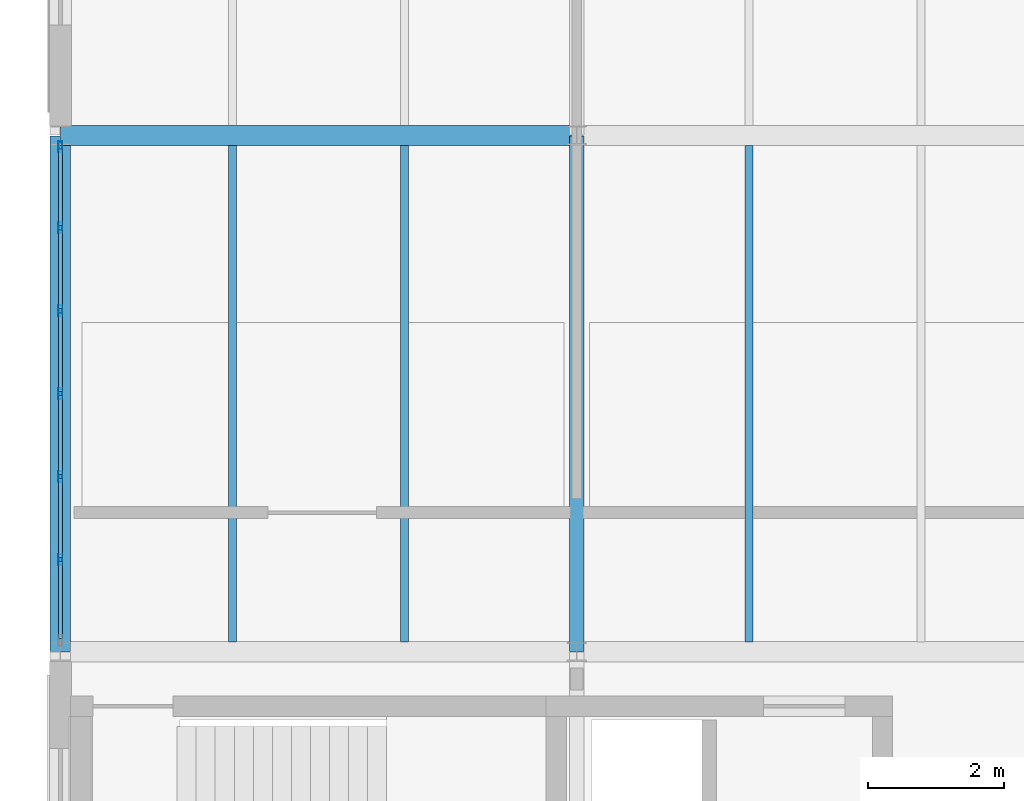
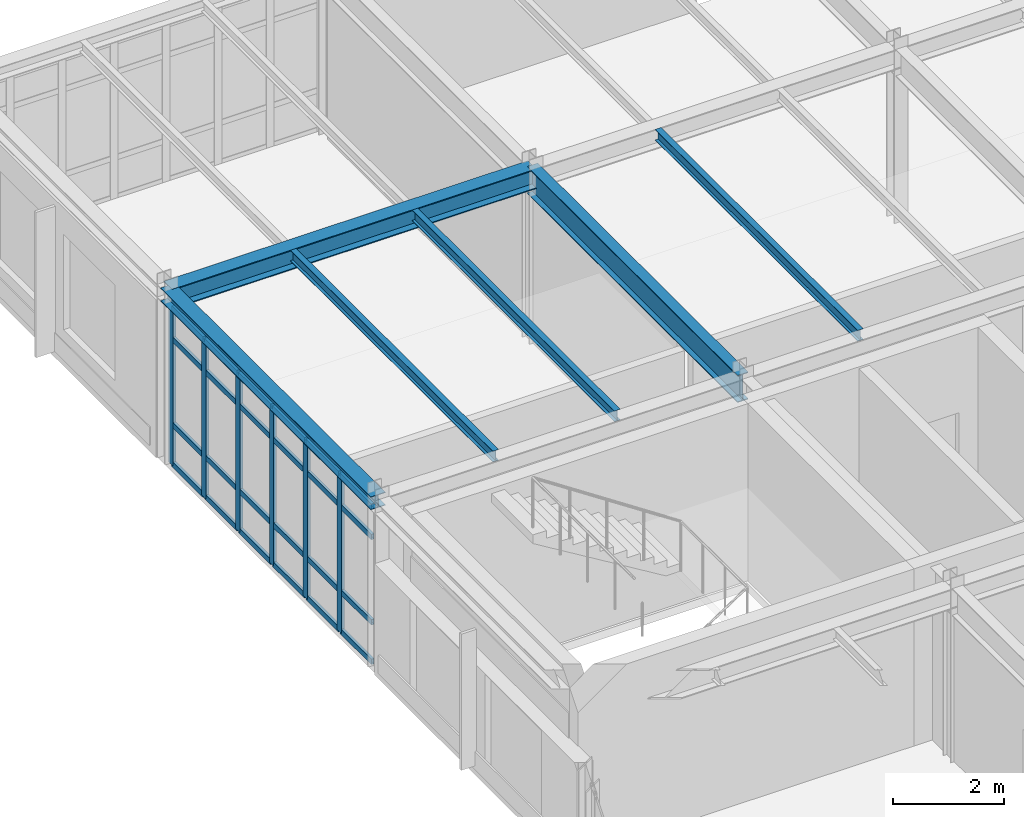
# One storey, part 31 of 165: 30 members, 6 beams, 1 element without a shape of its own.
"""IFC4 building model written with IfcOpenShell, lengths in metres."""

from ifc_helpers import new_model, si_unit, direction, frame, origin, origin_2d, place, context, subcontext, project, spatial, hollow_rectangle, i_section, extrude, material, layer, layer_set, material_profile, profile_set, type_object, element, aggregate, save


model = new_model("IFC4")

# Units and contexts
model_context = context("Model", 3, precision=1e-05, world=origin(), true_north=direction((0.0, 1.0)))
body_context = subcontext(model_context, "Body", "Model", "MODEL_VIEW")
ifc_project = project(units=[si_unit("LENGTHUNIT", "METRE"), si_unit("AREAUNIT", "SQUARE_METRE"), si_unit("VOLUMEUNIT", "CUBIC_METRE"), si_unit("PLANEANGLEUNIT", "RADIAN"), si_unit("MASSUNIT", "GRAM", prefix="KILO")], contexts=[model_context])

# Site, building, storey
site_placement = place(None, origin())
site = spatial("IfcSite", under=ifc_project, at=site_placement, CompositionType="ELEMENT")
building_placement = place(site_placement, origin())
building = spatial("IfcBuilding", under=site, at=building_placement, Name="Montecoro Central Library", CompositionType="ELEMENT")
storey_placement = place(building_placement, frame((0.0, 0.0, 5.10009765625)))
storey = spatial("IfcBuildingStorey", under=building, at=storey_placement, Name="L01", CompositionType="ELEMENT", Elevation=5.10009765625)

# Beams
ifc_material_1 = material(Name="Steel S355J2", Category="steel")
ifc_material_profile_1 = material_profile(ifc_material_1, i_section(OverallWidth=0.300048828125, OverallDepth=0.43994140625, WebThickness=0.011474609375, FlangeThickness=0.02099609375, at=origin_2d()), Name="HEA 450")
ifc_profile_set_1 = profile_set([ifc_material_profile_1], Name="Steel S355J2")
beam_type_1 = type_object("IfcBeamType", Name="BM-G-HEA450", PredefinedType="USERDEFINED", material=ifc_profile_set_1)
beam_1_placement = place(storey_placement, frame((5.0048828125, 27.800048828125, 3.60498046875), z_axis=(1.0, 0.0, 0.0), x_axis=(0.0, 1.0, 0.0)))
element("IfcBeam", 1, at=beam_1_placement, inside=storey, type_object=beam_type_1, Name="V3-L01-BX-12-D", ObjectType="GIRDER", PredefinedType="USERDEFINED", context=body_context, shape_type="SweptSolid", body=[
    extrude(i_section(OverallWidth=0.300048828125, OverallDepth=0.43994140625, WebThickness=0.011474609375, FlangeThickness=0.02099609375, at=origin_2d()), origin(), (0.0, 0.0, 1.0), 7.590087890625),
])
ifc_material_profile_2 = material_profile(ifc_material_1, i_section(OverallWidth=0.219970703125, OverallDepth=0.60009765625, WebThickness=0.011962890625, FlangeThickness=0.01904296875, at=origin_2d()), Name="IPE 600")
ifc_profile_set_2 = profile_set([ifc_material_profile_2], Name="Steel S355J2")
beam_type_2 = type_object("IfcBeamType", Name="BM-G-IPE600", PredefinedType="USERDEFINED", material=ifc_profile_set_2)
beam_2_placement = place(storey_placement, frame((12.60009765625, 20.205078125, 3.52490234375), z_axis=(0.0, 1.0, 0.0), x_axis=(-1.0, 0.0, 0.0)))
element("IfcBeam", 2, at=beam_2_placement, inside=storey, type_object=beam_type_2, Name="V3-L01-BY-2-CD", ObjectType="GIRDER", PredefinedType="USERDEFINED", context=body_context, shape_type="SweptSolid", body=[
    extrude(i_section(OverallWidth=0.219970703125, OverallDepth=0.60009765625, WebThickness=0.011962890625, FlangeThickness=0.01904296875, at=origin_2d()), origin(), (0.0, 0.0, 1.0), 7.58984375),
])
ifc_material_2 = material(Name="Steel S355", Category="steel")
ifc_material_profile_3 = material_profile(ifc_material_2, i_section(OverallWidth=0.1201171875, OverallDepth=0.239990234375, WebThickness=0.006103515625, FlangeThickness=0.009765625, at=origin_2d()), Name="IPE 240")
ifc_profile_set_3 = profile_set([ifc_material_profile_3], Name="Steel S355")
beam_type_3 = type_object("IfcBeamType", Name="BM-J-IPE240", PredefinedType="JOIST", material=ifc_profile_set_3)
for number, where, z_axis, x_axis, name in (
    (3, (7.532958984375, 20.346923828125, 3.704833984375), (0.0, 1.0, 0.0), (-1.0, 0.0, 0.0), "V3-L01-JS-12-CD-1"),
    (4, (10.06689453125, 20.346923828125, 3.704833984375), (0.0, 1.0, 0.0), (-1.0, 0.0, 0.0), "V3-L01-JS-12-CD-2"),
    (5, (15.133056640625, 20.346923828125, 3.704833984375), (0.0, 1.0, 0.0), (-1.0, 0.0, 0.0), "V3-L01-JS-23-CD-1"),
):
    element("IfcBeam", number, at=place(storey_placement, frame(where, z_axis=z_axis, x_axis=x_axis)), inside=storey, type_object=beam_type_3, Name=name, PredefinedType="JOIST", context=body_context, shape_type="SweptSolid", body=[
        extrude(i_section(OverallWidth=0.1201171875, OverallDepth=0.239990234375, WebThickness=0.006103515625, FlangeThickness=0.009765625, at=origin_2d()), origin(), (0.0, 0.0, 1.0), 7.30615234375),
    ])
ifc_material_profile_4 = material_profile(ifc_material_2, i_section(OverallWidth=0.300048828125, OverallDepth=0.2900390625, WebThickness=0.008544921875, FlangeThickness=0.013916015625, at=origin_2d()), Name="HEA 300")
ifc_profile_set_4 = profile_set([ifc_material_profile_4], Name="Steel S355")
beam_type_4 = type_object("IfcBeamType", Name="BM-SP-HEA300", PredefinedType="SPANDREL", material=ifc_profile_set_4)
beam_3_placement = place(storey_placement, frame((5.0, 20.205078125, 3.679931640625), z_axis=(0.0, 1.0, 0.0), x_axis=(-1.0, 0.0, 0.0)))
element("IfcBeam", 6, at=beam_3_placement, inside=storey, type_object=beam_type_4, Name="V3-L01-BY-1-CD", PredefinedType="SPANDREL", context=body_context, shape_type="SweptSolid", body=[
    extrude(i_section(OverallWidth=0.300048828125, OverallDepth=0.2900390625, WebThickness=0.008544921875, FlangeThickness=0.013916015625, at=origin_2d()), origin(), (0.0, 0.0, 1.0), 7.58984375),
])

# Curtain wall, members
ifc_material_3 = material(Name="Bronze-anodised aluminium and low-E glazing", Category="aluminium")
ifc_layer = layer(ifc_material_3, 0.159912109375)
ifc_layer_set = layer_set([ifc_layer], Name="Bronze-anodised aluminium and low-E glazing")
curtain_wall_type = type_object("IfcCurtainWallType", Name="CWT-032", PredefinedType="NOTDEFINED", material=ifc_layer_set)
curtain_wall_placement = place(storey_placement, origin())
curtain_wall = element("IfcCurtainWall", 7, at=curtain_wall_placement, inside=storey, type_object=curtain_wall_type, Name="V3-L01-CW-W2", PredefinedType="NOTDEFINED")
ifc_material_4 = material(Name="Bronze-anodised aluminium", Category="aluminium")
ifc_material_profile_5 = material_profile(ifc_material_4, hollow_rectangle(XDim=0.06005859375, YDim=0.159912109375, WallThickness=0.00390625, at=origin_2d()), Name="CWM 160x60x4.0")
ifc_profile_set_5 = profile_set([ifc_material_profile_5], Name="Bronze-anodised aluminium")
member_type_1 = type_object("IfcMemberType", Name="CWM-BRZ-60", PredefinedType="MULLION", material=ifc_profile_set_5)
member_1_placement = place(storey_placement, frame((5.0, 27.632080078125, 0.0), z_axis=(0.0, 0.0, 1.0), x_axis=(1.0, 0.0, 0.0)))
member_1 = element("IfcMember", 8, at=member_1_placement, type_object=member_type_1, Name="CW-032 mullion 1", PredefinedType="MULLION", context=body_context, shape_type="SweptSolid", body=[
    extrude(hollow_rectangle(XDim=0.06005859375, YDim=0.159912109375, WallThickness=0.00390625, at=origin_2d()), origin(), (0.0, 0.0, 1.0), 3.47998046875),
])
member_2_placement = place(storey_placement, frame((5.0, 26.44140625, 0.0), z_axis=(0.0, 0.0, 1.0), x_axis=(1.0, 0.0, 0.0)))
member_2 = element("IfcMember", 9, at=member_2_placement, type_object=member_type_1, Name="CW-032 mullion 2", PredefinedType="MULLION", context=body_context, shape_type="SweptSolid", body=[
    extrude(hollow_rectangle(XDim=0.06005859375, YDim=0.159912109375, WallThickness=0.00390625, at=origin_2d()), origin(), (0.0, 0.0, 1.0), 3.47998046875),
])
member_3_placement = place(storey_placement, frame((5.0, 25.220703125, 0.0), z_axis=(0.0, 0.0, 1.0), x_axis=(1.0, 0.0, 0.0)))
member_3 = element("IfcMember", 10, at=member_3_placement, type_object=member_type_1, Name="CW-032 mullion 3", PredefinedType="MULLION", context=body_context, shape_type="SweptSolid", body=[
    extrude(hollow_rectangle(XDim=0.06005859375, YDim=0.159912109375, WallThickness=0.00390625, at=origin_2d()), origin(), (0.0, 0.0, 1.0), 3.47998046875),
])
member_4_placement = place(storey_placement, frame((5.0, 24.0, 0.0), z_axis=(0.0, 0.0, 1.0), x_axis=(1.0, 0.0, 0.0)))
member_4 = element("IfcMember", 11, at=member_4_placement, type_object=member_type_1, Name="CW-032 mullion 4", PredefinedType="MULLION", context=body_context, shape_type="SweptSolid", body=[
    extrude(hollow_rectangle(XDim=0.06005859375, YDim=0.159912109375, WallThickness=0.00390625, at=origin_2d()), origin(), (0.0, 0.0, 1.0), 3.47998046875),
])
member_5_placement = place(storey_placement, frame((5.0, 22.779296875, 0.0), z_axis=(0.0, 0.0, 1.0), x_axis=(1.0, 0.0, 0.0)))
member_5 = element("IfcMember", 12, at=member_5_placement, type_object=member_type_1, Name="CW-032 mullion 5", PredefinedType="MULLION", context=body_context, shape_type="SweptSolid", body=[
    extrude(hollow_rectangle(XDim=0.06005859375, YDim=0.159912109375, WallThickness=0.00390625, at=origin_2d()), origin(), (0.0, 0.0, 1.0), 3.47998046875),
])
member_6_placement = place(storey_placement, frame((5.0, 21.55859375, 0.0), z_axis=(0.0, 0.0, 1.0), x_axis=(1.0, 0.0, 0.0)))
member_6 = element("IfcMember", 13, at=member_6_placement, type_object=member_type_1, Name="CW-032 mullion 6", PredefinedType="MULLION", context=body_context, shape_type="SweptSolid", body=[
    extrude(hollow_rectangle(XDim=0.06005859375, YDim=0.159912109375, WallThickness=0.00390625, at=origin_2d()), origin(), (0.0, 0.0, 1.0), 3.47998046875),
])
ifc_material_profile_6 = material_profile(ifc_material_4, hollow_rectangle(XDim=0.06005859375, YDim=0.1201171875, WallThickness=0.00390625, at=origin_2d()), Name="CWT 120x60x4.0")
ifc_profile_set_6 = profile_set([ifc_material_profile_6], Name="Bronze-anodised aluminium")
member_type_2 = type_object("IfcMemberType", Name="CWT-BRZ-60", PredefinedType="USERDEFINED", material=ifc_profile_set_6)
member_7_placement = place(storey_placement, frame((5.0, 27.60205078125, 0.02978515625), z_axis=(0.0, -1.0, 0.0), x_axis=(1.0, 0.0, 0.0)))
member_7 = element("IfcMember", 14, at=member_7_placement, type_object=member_type_2, Name="CW-032 transom 1.1", ObjectType="TRANSOM", PredefinedType="USERDEFINED", context=body_context, shape_type="SweptSolid", body=[
    extrude(hollow_rectangle(XDim=0.06005859375, YDim=0.1201171875, WallThickness=0.00390625, at=origin_2d()), origin(), (0.0, 0.0, 1.0), 1.130615234375),
])
member_8_placement = place(storey_placement, frame((5.0, 27.60205078125, 0.89990234375), z_axis=(0.0, -1.0, 0.0), x_axis=(1.0, 0.0, 0.0)))
member_8 = element("IfcMember", 15, at=member_8_placement, type_object=member_type_2, Name="CW-032 transom 1.2", ObjectType="TRANSOM", PredefinedType="USERDEFINED", context=body_context, shape_type="SweptSolid", body=[
    extrude(hollow_rectangle(XDim=0.06005859375, YDim=0.1201171875, WallThickness=0.00390625, at=origin_2d()), origin(), (0.0, 0.0, 1.0), 1.130615234375),
])
member_9_placement = place(storey_placement, frame((5.0, 27.60205078125, 2.77978515625), z_axis=(0.0, -1.0, 0.0), x_axis=(1.0, 0.0, 0.0)))
member_9 = element("IfcMember", 16, at=member_9_placement, type_object=member_type_2, Name="CW-032 transom 1.3", ObjectType="TRANSOM", PredefinedType="USERDEFINED", context=body_context, shape_type="SweptSolid", body=[
    extrude(hollow_rectangle(XDim=0.06005859375, YDim=0.1201171875, WallThickness=0.00390625, at=origin_2d()), origin(), (0.0, 0.0, 1.0), 1.130615234375),
])
member_10_placement = place(storey_placement, frame((5.0, 27.60205078125, 3.449951171875), z_axis=(0.0, -1.0, 0.0), x_axis=(1.0, 0.0, 0.0)))
member_10 = element("IfcMember", 17, at=member_10_placement, type_object=member_type_2, Name="CW-032 transom 1.4", ObjectType="TRANSOM", PredefinedType="USERDEFINED", context=body_context, shape_type="SweptSolid", body=[
    extrude(hollow_rectangle(XDim=0.06005859375, YDim=0.1201171875, WallThickness=0.00390625, at=origin_2d()), origin(), (0.0, 0.0, 1.0), 1.130615234375),
])
member_11_placement = place(storey_placement, frame((5.0, 26.411376953125, 0.02978515625), z_axis=(0.0, -1.0, 0.0), x_axis=(1.0, 0.0, 0.0)))
member_11 = element("IfcMember", 18, at=member_11_placement, type_object=member_type_2, Name="CW-032 transom 2.1", ObjectType="TRANSOM", PredefinedType="USERDEFINED", context=body_context, shape_type="SweptSolid", body=[
    extrude(hollow_rectangle(XDim=0.06005859375, YDim=0.1201171875, WallThickness=0.00390625, at=origin_2d()), origin(), (0.0, 0.0, 1.0), 1.16064453125),
])
member_12_placement = place(storey_placement, frame((5.0, 26.411376953125, 0.89990234375), z_axis=(0.0, -1.0, 0.0), x_axis=(1.0, 0.0, 0.0)))
member_12 = element("IfcMember", 19, at=member_12_placement, type_object=member_type_2, Name="CW-032 transom 2.2", ObjectType="TRANSOM", PredefinedType="USERDEFINED", context=body_context, shape_type="SweptSolid", body=[
    extrude(hollow_rectangle(XDim=0.06005859375, YDim=0.1201171875, WallThickness=0.00390625, at=origin_2d()), origin(), (0.0, 0.0, 1.0), 1.16064453125),
])
member_13_placement = place(storey_placement, frame((5.0, 26.411376953125, 2.77978515625), z_axis=(0.0, -1.0, 0.0), x_axis=(1.0, 0.0, 0.0)))
member_13 = element("IfcMember", 20, at=member_13_placement, type_object=member_type_2, Name="CW-032 transom 2.3", ObjectType="TRANSOM", PredefinedType="USERDEFINED", context=body_context, shape_type="SweptSolid", body=[
    extrude(hollow_rectangle(XDim=0.06005859375, YDim=0.1201171875, WallThickness=0.00390625, at=origin_2d()), origin(), (0.0, 0.0, 1.0), 1.16064453125),
])
member_14_placement = place(storey_placement, frame((5.0, 26.411376953125, 3.449951171875), z_axis=(0.0, -1.0, 0.0), x_axis=(1.0, 0.0, 0.0)))
member_14 = element("IfcMember", 21, at=member_14_placement, type_object=member_type_2, Name="CW-032 transom 2.4", ObjectType="TRANSOM", PredefinedType="USERDEFINED", context=body_context, shape_type="SweptSolid", body=[
    extrude(hollow_rectangle(XDim=0.06005859375, YDim=0.1201171875, WallThickness=0.00390625, at=origin_2d()), origin(), (0.0, 0.0, 1.0), 1.16064453125),
])
member_15_placement = place(storey_placement, frame((5.0, 25.190673828125, 0.02978515625), z_axis=(0.0, -1.0, 0.0), x_axis=(1.0, 0.0, 0.0)))
member_15 = element("IfcMember", 22, at=member_15_placement, type_object=member_type_2, Name="CW-032 transom 3.1", ObjectType="TRANSOM", PredefinedType="USERDEFINED", context=body_context, shape_type="SweptSolid", body=[
    extrude(hollow_rectangle(XDim=0.06005859375, YDim=0.1201171875, WallThickness=0.00390625, at=origin_2d()), origin(), (0.0, 0.0, 1.0), 1.16064453125),
])
member_16_placement = place(storey_placement, frame((5.0, 25.190673828125, 0.89990234375), z_axis=(0.0, -1.0, 0.0), x_axis=(1.0, 0.0, 0.0)))
member_16 = element("IfcMember", 23, at=member_16_placement, type_object=member_type_2, Name="CW-032 transom 3.2", ObjectType="TRANSOM", PredefinedType="USERDEFINED", context=body_context, shape_type="SweptSolid", body=[
    extrude(hollow_rectangle(XDim=0.06005859375, YDim=0.1201171875, WallThickness=0.00390625, at=origin_2d()), origin(), (0.0, 0.0, 1.0), 1.16064453125),
])
member_17_placement = place(storey_placement, frame((5.0, 25.190673828125, 2.77978515625), z_axis=(0.0, -1.0, 0.0), x_axis=(1.0, 0.0, 0.0)))
member_17 = element("IfcMember", 24, at=member_17_placement, type_object=member_type_2, Name="CW-032 transom 3.3", ObjectType="TRANSOM", PredefinedType="USERDEFINED", context=body_context, shape_type="SweptSolid", body=[
    extrude(hollow_rectangle(XDim=0.06005859375, YDim=0.1201171875, WallThickness=0.00390625, at=origin_2d()), origin(), (0.0, 0.0, 1.0), 1.16064453125),
])
member_18_placement = place(storey_placement, frame((5.0, 25.190673828125, 3.449951171875), z_axis=(0.0, -1.0, 0.0), x_axis=(1.0, 0.0, 0.0)))
member_18 = element("IfcMember", 25, at=member_18_placement, type_object=member_type_2, Name="CW-032 transom 3.4", ObjectType="TRANSOM", PredefinedType="USERDEFINED", context=body_context, shape_type="SweptSolid", body=[
    extrude(hollow_rectangle(XDim=0.06005859375, YDim=0.1201171875, WallThickness=0.00390625, at=origin_2d()), origin(), (0.0, 0.0, 1.0), 1.16064453125),
])
member_19_placement = place(storey_placement, frame((5.0, 23.969970703125, 0.02978515625), z_axis=(0.0, -1.0, 0.0), x_axis=(1.0, 0.0, 0.0)))
member_19 = element("IfcMember", 26, at=member_19_placement, type_object=member_type_2, Name="CW-032 transom 4.1", ObjectType="TRANSOM", PredefinedType="USERDEFINED", context=body_context, shape_type="SweptSolid", body=[
    extrude(hollow_rectangle(XDim=0.06005859375, YDim=0.1201171875, WallThickness=0.00390625, at=origin_2d()), origin(), (0.0, 0.0, 1.0), 1.16064453125),
])
member_20_placement = place(storey_placement, frame((5.0, 23.969970703125, 0.89990234375), z_axis=(0.0, -1.0, 0.0), x_axis=(1.0, 0.0, 0.0)))
member_20 = element("IfcMember", 27, at=member_20_placement, type_object=member_type_2, Name="CW-032 transom 4.2", ObjectType="TRANSOM", PredefinedType="USERDEFINED", context=body_context, shape_type="SweptSolid", body=[
    extrude(hollow_rectangle(XDim=0.06005859375, YDim=0.1201171875, WallThickness=0.00390625, at=origin_2d()), origin(), (0.0, 0.0, 1.0), 1.16064453125),
])
member_21_placement = place(storey_placement, frame((5.0, 23.969970703125, 2.77978515625), z_axis=(0.0, -1.0, 0.0), x_axis=(1.0, 0.0, 0.0)))
member_21 = element("IfcMember", 28, at=member_21_placement, type_object=member_type_2, Name="CW-032 transom 4.3", ObjectType="TRANSOM", PredefinedType="USERDEFINED", context=body_context, shape_type="SweptSolid", body=[
    extrude(hollow_rectangle(XDim=0.06005859375, YDim=0.1201171875, WallThickness=0.00390625, at=origin_2d()), origin(), (0.0, 0.0, 1.0), 1.16064453125),
])
member_22_placement = place(storey_placement, frame((5.0, 23.969970703125, 3.449951171875), z_axis=(0.0, -1.0, 0.0), x_axis=(1.0, 0.0, 0.0)))
member_22 = element("IfcMember", 29, at=member_22_placement, type_object=member_type_2, Name="CW-032 transom 4.4", ObjectType="TRANSOM", PredefinedType="USERDEFINED", context=body_context, shape_type="SweptSolid", body=[
    extrude(hollow_rectangle(XDim=0.06005859375, YDim=0.1201171875, WallThickness=0.00390625, at=origin_2d()), origin(), (0.0, 0.0, 1.0), 1.16064453125),
])
member_23_placement = place(storey_placement, frame((5.0, 22.749267578125, 0.02978515625), z_axis=(0.0, -1.0, 0.0), x_axis=(1.0, 0.0, 0.0)))
member_23 = element("IfcMember", 30, at=member_23_placement, type_object=member_type_2, Name="CW-032 transom 5.1", ObjectType="TRANSOM", PredefinedType="USERDEFINED", context=body_context, shape_type="SweptSolid", body=[
    extrude(hollow_rectangle(XDim=0.06005859375, YDim=0.1201171875, WallThickness=0.00390625, at=origin_2d()), origin(), (0.0, 0.0, 1.0), 1.16064453125),
])
member_24_placement = place(storey_placement, frame((5.0, 22.749267578125, 0.89990234375), z_axis=(0.0, -1.0, 0.0), x_axis=(1.0, 0.0, 0.0)))
member_24 = element("IfcMember", 31, at=member_24_placement, type_object=member_type_2, Name="CW-032 transom 5.2", ObjectType="TRANSOM", PredefinedType="USERDEFINED", context=body_context, shape_type="SweptSolid", body=[
    extrude(hollow_rectangle(XDim=0.06005859375, YDim=0.1201171875, WallThickness=0.00390625, at=origin_2d()), origin(), (0.0, 0.0, 1.0), 1.16064453125),
])
member_25_placement = place(storey_placement, frame((5.0, 22.749267578125, 2.77978515625), z_axis=(0.0, -1.0, 0.0), x_axis=(1.0, 0.0, 0.0)))
member_25 = element("IfcMember", 32, at=member_25_placement, type_object=member_type_2, Name="CW-032 transom 5.3", ObjectType="TRANSOM", PredefinedType="USERDEFINED", context=body_context, shape_type="SweptSolid", body=[
    extrude(hollow_rectangle(XDim=0.06005859375, YDim=0.1201171875, WallThickness=0.00390625, at=origin_2d()), origin(), (0.0, 0.0, 1.0), 1.16064453125),
])
member_26_placement = place(storey_placement, frame((5.0, 22.749267578125, 3.449951171875), z_axis=(0.0, -1.0, 0.0), x_axis=(1.0, 0.0, 0.0)))
member_26 = element("IfcMember", 33, at=member_26_placement, type_object=member_type_2, Name="CW-032 transom 5.4", ObjectType="TRANSOM", PredefinedType="USERDEFINED", context=body_context, shape_type="SweptSolid", body=[
    extrude(hollow_rectangle(XDim=0.06005859375, YDim=0.1201171875, WallThickness=0.00390625, at=origin_2d()), origin(), (0.0, 0.0, 1.0), 1.16064453125),
])
member_27_placement = place(storey_placement, frame((5.0, 21.528564453125, 0.02978515625), z_axis=(0.0, -1.0, 0.0), x_axis=(1.0, 0.0, 0.0)))
member_27 = element("IfcMember", 34, at=member_27_placement, type_object=member_type_2, Name="CW-032 transom 6.1", ObjectType="TRANSOM", PredefinedType="USERDEFINED", context=body_context, shape_type="SweptSolid", body=[
    extrude(hollow_rectangle(XDim=0.06005859375, YDim=0.1201171875, WallThickness=0.00390625, at=origin_2d()), origin(), (0.0, 0.0, 1.0), 1.130615234375),
])
member_28_placement = place(storey_placement, frame((5.0, 21.528564453125, 0.89990234375), z_axis=(0.0, -1.0, 0.0), x_axis=(1.0, 0.0, 0.0)))
member_28 = element("IfcMember", 35, at=member_28_placement, type_object=member_type_2, Name="CW-032 transom 6.2", ObjectType="TRANSOM", PredefinedType="USERDEFINED", context=body_context, shape_type="SweptSolid", body=[
    extrude(hollow_rectangle(XDim=0.06005859375, YDim=0.1201171875, WallThickness=0.00390625, at=origin_2d()), origin(), (0.0, 0.0, 1.0), 1.130615234375),
])
member_29_placement = place(storey_placement, frame((5.0, 21.528564453125, 2.77978515625), z_axis=(0.0, -1.0, 0.0), x_axis=(1.0, 0.0, 0.0)))
member_29 = element("IfcMember", 36, at=member_29_placement, type_object=member_type_2, Name="CW-032 transom 6.3", ObjectType="TRANSOM", PredefinedType="USERDEFINED", context=body_context, shape_type="SweptSolid", body=[
    extrude(hollow_rectangle(XDim=0.06005859375, YDim=0.1201171875, WallThickness=0.00390625, at=origin_2d()), origin(), (0.0, 0.0, 1.0), 1.130615234375),
])
member_30_placement = place(storey_placement, frame((5.0, 21.528564453125, 3.449951171875), z_axis=(0.0, -1.0, 0.0), x_axis=(1.0, 0.0, 0.0)))
member_30 = element("IfcMember", 37, at=member_30_placement, type_object=member_type_2, Name="CW-032 transom 6.4", ObjectType="TRANSOM", PredefinedType="USERDEFINED", context=body_context, shape_type="SweptSolid", body=[
    extrude(hollow_rectangle(XDim=0.06005859375, YDim=0.1201171875, WallThickness=0.00390625, at=origin_2d()), origin(), (0.0, 0.0, 1.0), 1.130615234375),
])
aggregate(curtain_wall, [member_1, member_2, member_3, member_4, member_5, member_6, member_7, member_8, member_9, member_10, member_11, member_12, member_13, member_14, member_15, member_16, member_17, member_18, member_19, member_20, member_21, member_22, member_23, member_24, member_25, member_26, member_27, member_28, member_29, member_30])

save(model, "model.ifc")
